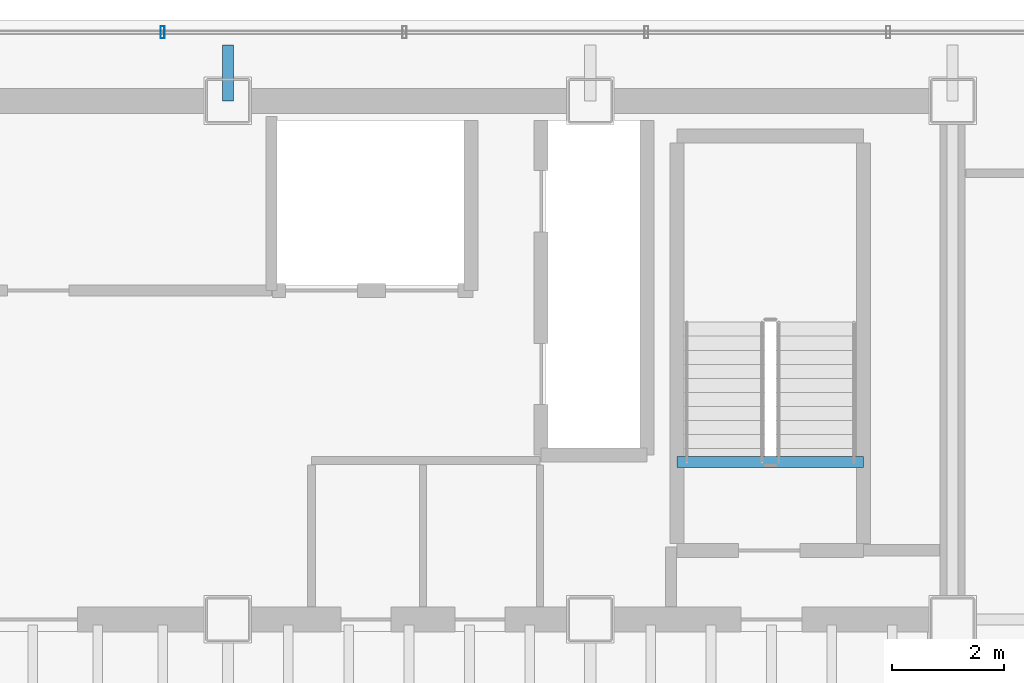
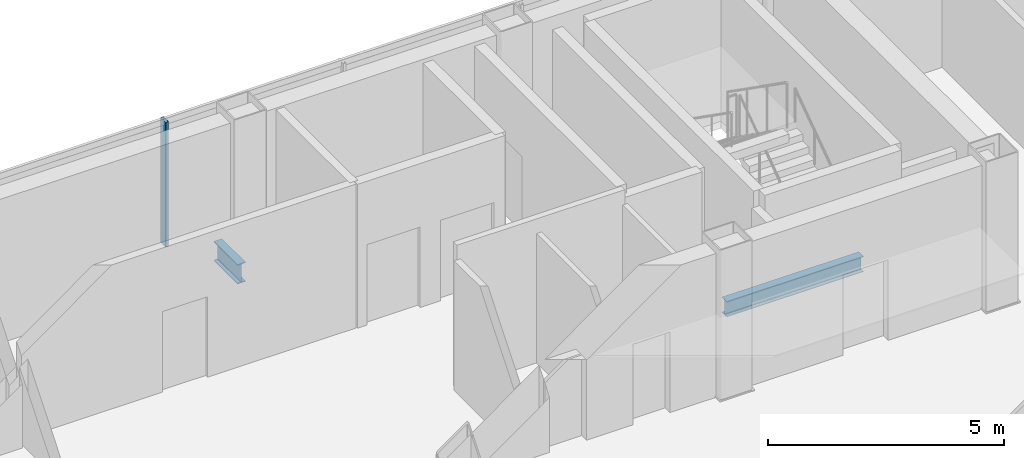
# One storey, part 7 of 15: 2 beams, 1 member, 1 element without a shape of its own.
"""IFC4 building model written with IfcOpenShell, lengths in metres."""

from ifc_helpers import new_model, si_unit, direction, frame, origin, origin_2d, place, context, subcontext, project, spatial, hollow_rectangle, i_section, extrude, material, material_profile, profile_set, type_object, element, aggregate, save


model = new_model("IFC4")

# Units and contexts
model_context = context("Model", 3, precision=1e-05, world=origin(), true_north=direction((0.0, 1.0)))
body_context = subcontext(model_context, "Body", "Model", "MODEL_VIEW")
ifc_project = project(units=[si_unit("LENGTHUNIT", "METRE"), si_unit("AREAUNIT", "SQUARE_METRE"), si_unit("VOLUMEUNIT", "CUBIC_METRE"), si_unit("PLANEANGLEUNIT", "RADIAN"), si_unit("MASSUNIT", "GRAM", prefix="KILO")], contexts=[model_context])

# Site, building, storey
site_placement = place(None, origin())
site = spatial("IfcSite", under=ifc_project, at=site_placement, CompositionType="ELEMENT")
building_placement = place(site_placement, origin())
building = spatial("IfcBuilding", under=site, at=building_placement, Name="Noeulbin Bourse Tower", CompositionType="ELEMENT")
storey_placement = place(building_placement, frame((0.0, 0.0, 211.10009765625)))
storey = spatial("IfcBuildingStorey", under=building, at=storey_placement, Name="L52", CompositionType="ELEMENT", Elevation=211.10009765625)

# Beams
ifc_material_1 = material(Name="Steel S355", Category="steel")
ifc_material_profile_1 = material_profile(ifc_material_1, i_section(OverallWidth=0.199951171875, OverallDepth=0.5, WebThickness=0.010009765625, FlangeThickness=0.01611328125, FilletRadius=0.02001953125, at=origin_2d()), Name="H-500x200x10x16", Category="LoadBearing")
ifc_profile_set_1 = profile_set([ifc_material_profile_1], Name="Steel S355")
beam_type_1 = type_object("IfcBeamType", Name="BM-GRD-500", PredefinedType="USERDEFINED", material=ifc_profile_set_1)
beam_1_placement = place(storey_placement, frame((31.0, 38.300048828125, -0.43017578125), z_axis=(0.0, 1.0, 0.0), x_axis=(-1.0, 0.0, 0.0)))
element("IfcBeam", 1, at=beam_1_placement, inside=storey, type_object=beam_type_1, Name="Tower Primary Girder NS L52-3.4", ObjectType="GIRDER", PredefinedType="USERDEFINED", context=body_context, shape_type="SweptSolid", body=[
    extrude(i_section(OverallWidth=0.199951171875, OverallDepth=0.5, WebThickness=0.010009765625, FlangeThickness=0.01611328125, FilletRadius=0.02001953125, at=origin_2d()), origin(), (0.0, 0.0, 1.0), 1.0),
])
ifc_material_profile_2 = material_profile(ifc_material_1, i_section(OverallWidth=0.199951171875, OverallDepth=0.39990234375, WebThickness=0.008056640625, FlangeThickness=0.012939453125, FilletRadius=0.01611328125, at=origin_2d()), Name="H-400x200x8x13", Category="LoadBearing")
ifc_profile_set_2 = profile_set([ifc_material_profile_2], Name="Steel S355")
beam_type_2 = type_object("IfcBeamType", Name="BM-SEC-400", PredefinedType="BEAM", material=ifc_profile_set_2)
beam_2_placement = place(storey_placement, frame((39.06005859375, 31.820068359375, -0.2001953125), z_axis=(1.0, 0.0, 0.0), x_axis=(0.0, 1.0, 0.0)))
element("IfcBeam", 2, at=beam_2_placement, inside=storey, type_object=beam_type_2, Name="Stair Threshold Trimmer Beam ST2-L52", PredefinedType="BEAM", context=body_context, shape_type="SweptSolid", body=[
    extrude(i_section(OverallWidth=0.199951171875, OverallDepth=0.39990234375, WebThickness=0.008056640625, FlangeThickness=0.012939453125, FilletRadius=0.01611328125, at=origin_2d()), origin(), (0.0, 0.0, 1.0), 3.33984375),
])

# Curtain wall, member
ifc_material_2 = material(Name="High-Selectivity Low-Iron Glazing", Category="glass")
curtain_wall_type = type_object("IfcCurtainWallType", Name="CW-SYS-4", PredefinedType="NOTDEFINED", material=ifc_material_2)
curtain_wall_placement = place(storey_placement, origin())
curtain_wall = element("IfcCurtainWall", 3, at=curtain_wall_placement, inside=storey, type_object=curtain_wall_type, Name="Unitised Curtain Wall CW-L52-N", PredefinedType="NOTDEFINED")
ifc_material_3 = material(Name="Anodised Aluminium 6063-T6", Category="aluminium")
ifc_material_profile_3 = material_profile(ifc_material_3, hollow_rectangle(XDim=0.074951171875, YDim=0.219970703125, WallThickness=0.0048828125, InnerFilletRadius=0.00244140625, OuterFilletRadius=0.0048828125, at=origin_2d()), Name="ALU-MULL-75x220x5", Category="LoadBearing")
ifc_profile_set_3 = profile_set([ifc_material_profile_3], Name="Anodised Aluminium 6063-T6")
member_type = type_object("IfcMemberType", Name="CW-SYS-4-MUL", PredefinedType="MULLION", material=ifc_profile_set_3)
member_placement = place(storey_placement, frame((29.8310546875, 39.530029296875, -0.02001953125), z_axis=(0.0, 0.0, 1.0), x_axis=(1.0, 0.0, 0.0)))
member = element("IfcMember", 4, at=member_placement, type_object=member_type, Name="Curtain Wall Mullion CW-L52-N-M04", PredefinedType="MULLION", context=body_context, shape_type="SweptSolid", body=[
    extrude(hollow_rectangle(XDim=0.074951171875, YDim=0.219970703125, WallThickness=0.0048828125, InnerFilletRadius=0.00244140625, OuterFilletRadius=0.0048828125, at=origin_2d()), origin(), (0.0, 0.0, 1.0), 3.219970703125),
])
aggregate(curtain_wall, [member])

save(model, "model.ifc")
